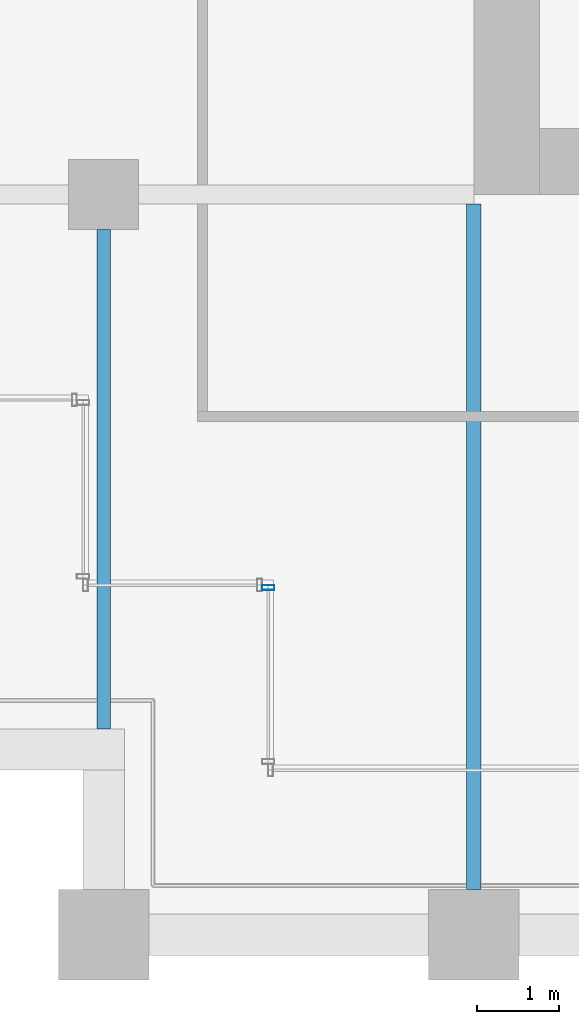
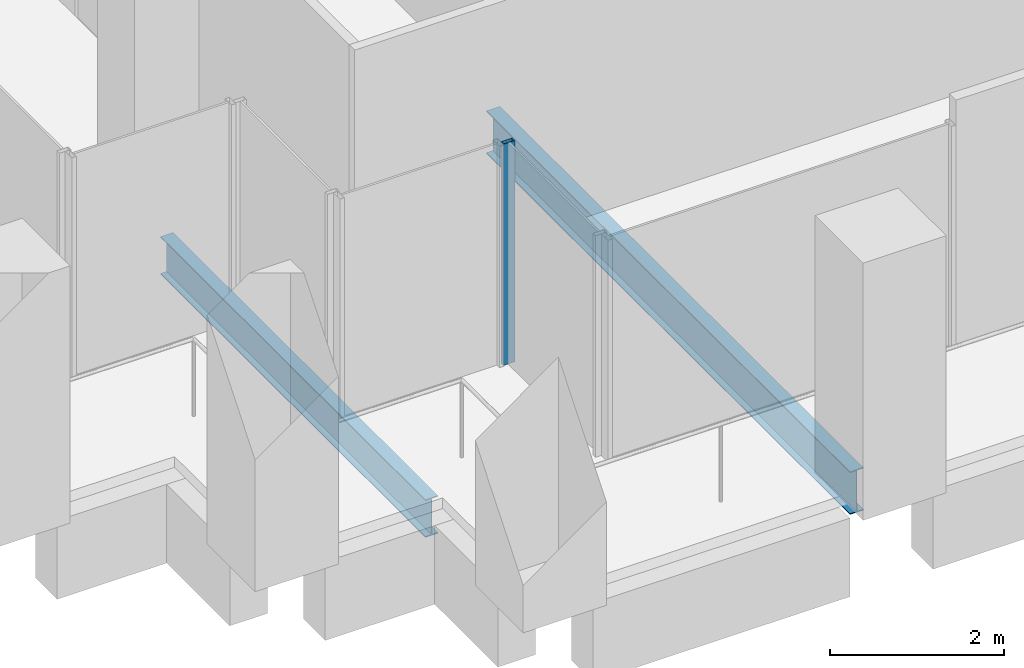
# One storey, part 35 of 54: 2 beams, 1 member, 1 element without a shape of its own.
"""IFC4 building model written with IfcOpenShell, lengths in metres."""

from ifc_helpers import new_model, si_unit, direction, frame, origin, origin_2d, place, context, subcontext, project, spatial, hollow_rectangle, i_section, extrude, material, material_profile, profile_set, type_object, element, aggregate, save


model = new_model("IFC4")

# Units and contexts
model_context = context("Model", 3, precision=1e-05, world=origin(), true_north=direction((0.0, 1.0)))
body_context = subcontext(model_context, "Body", "Model", "MODEL_VIEW")
ifc_project = project(units=[si_unit("LENGTHUNIT", "METRE"), si_unit("AREAUNIT", "SQUARE_METRE"), si_unit("VOLUMEUNIT", "CUBIC_METRE"), si_unit("PLANEANGLEUNIT", "RADIAN"), si_unit("MASSUNIT", "GRAM", prefix="KILO")], contexts=[model_context])

# Site, building, storey
site_placement = place(None, origin())
site = spatial("IfcSite", under=ifc_project, at=site_placement, CompositionType="ELEMENT")
building_placement = place(site_placement, origin())
building = spatial("IfcBuilding", under=site, at=building_placement, Name="Altepetl Exchange Towers", CompositionType="ELEMENT")
storey_placement = place(building_placement, frame((0.0, 0.0, 61.800048828125)))
storey = spatial("IfcBuildingStorey", under=building, at=storey_placement, Name="L14", CompositionType="ELEMENT", Elevation=61.800048828125)

# Beams
ifc_material_1 = material(Name="Steel S355", Category="steel")
ifc_material_profile_1 = material_profile(ifc_material_1, i_section(OverallWidth=0.166015625, OverallDepth=0.529052734375, WebThickness=0.009765625, FlangeThickness=0.013671875, at=origin_2d()), Name="W21X50")
ifc_profile_set_1 = profile_set([ifc_material_profile_1], Name="Steel S355")
beam_type_1 = type_object("IfcBeamType", Name="Floor beam W21X50", PredefinedType="BEAM", material=ifc_profile_set_1)
beam_1_placement = place(storey_placement, frame((99.0, 29.5, -0.41455078125), z_axis=(0.0, 1.0, 0.0), x_axis=(-1.0, 0.0, 0.0)))
element("IfcBeam", 1, at=beam_1_placement, inside=storey, type_object=beam_type_1, Name="bm:B:L14:008", PredefinedType="BEAM", context=body_context, shape_type="SweptSolid", body=[
    extrude(i_section(OverallWidth=0.166015625, OverallDepth=0.529052734375, WebThickness=0.009765625, FlangeThickness=0.013671875, at=origin_2d()), origin(), (0.0, 0.0, 1.0), 6.074951171875),
])
ifc_material_profile_2 = material_profile(ifc_material_1, i_section(OverallWidth=0.177978515625, OverallDepth=0.59912109375, WebThickness=0.010009765625, FlangeThickness=0.0126953125, at=origin_2d()), Name="W24X55")
ifc_profile_set_2 = profile_set([ifc_material_profile_2], Name="Steel S355")
beam_type_2 = type_object("IfcBeamType", Name="Floor beam W24X55", PredefinedType="BEAM", material=ifc_profile_set_2)
beam_2_placement = place(storey_placement, frame((103.5, 27.550048828125, -0.449462890625), z_axis=(0.0, 1.0, 0.0), x_axis=(-1.0, 0.0, 0.0)))
element("IfcBeam", 2, at=beam_2_placement, inside=storey, type_object=beam_type_2, Name="bm:B:L14:009", PredefinedType="BEAM", context=body_context, shape_type="SweptSolid", body=[
    extrude(i_section(OverallWidth=0.177978515625, OverallDepth=0.59912109375, WebThickness=0.010009765625, FlangeThickness=0.0126953125, at=origin_2d()), origin(), (0.0, 0.0, 1.0), 8.3359375),
])

# Curtain wall, member
ifc_material_2 = material(Name="Aluminium 6063-T6 glazing", Category="aluminium")
curtain_wall_type = type_object("IfcCurtainWallType", Name="Loggia glazing system", PredefinedType="NOTDEFINED", material=ifc_material_2)
curtain_wall_placement = place(storey_placement, origin())
curtain_wall = element("IfcCurtainWall", 3, at=curtain_wall_placement, inside=storey, type_object=curtain_wall_type, Name="CW1 run", PredefinedType="NOTDEFINED")
ifc_material_3 = material(Name="Aluminium 6063-T6", Category="aluminium")
ifc_material_profile_3 = material_profile(ifc_material_3, hollow_rectangle(XDim=0.06005859375, YDim=0.14990234375, WallThickness=0.0029296875, at=origin_2d()), Name="Mullion 60x150 aluminium")
ifc_profile_set_3 = profile_set([ifc_material_profile_3], Name="Aluminium 6063-T6")
member_type = type_object("IfcMemberType", Name="Mullion 60x150 aluminium", PredefinedType="MULLION", material=ifc_profile_set_3)
member_placement = place(storey_placement, frame((101.0, 31.219970703125, 0.0), z_axis=(0.0, 0.0, 1.0), x_axis=(0.0, -1.0, 0.0)))
member = element("IfcMember", 4, at=member_placement, type_object=member_type, Name="MU1 mullion", PredefinedType="MULLION", context=body_context, shape_type="SweptSolid", body=[
    extrude(hollow_rectangle(XDim=0.06005859375, YDim=0.14990234375, WallThickness=0.0029296875, at=origin_2d()), origin(), (0.0, 0.0, 1.0), 3.099853515625),
])
aggregate(curtain_wall, [member])

save(model, "model.ifc")
